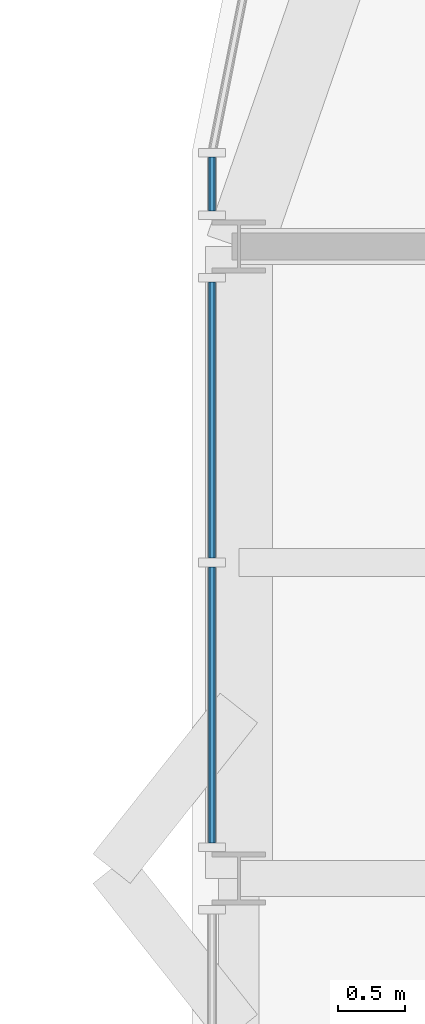
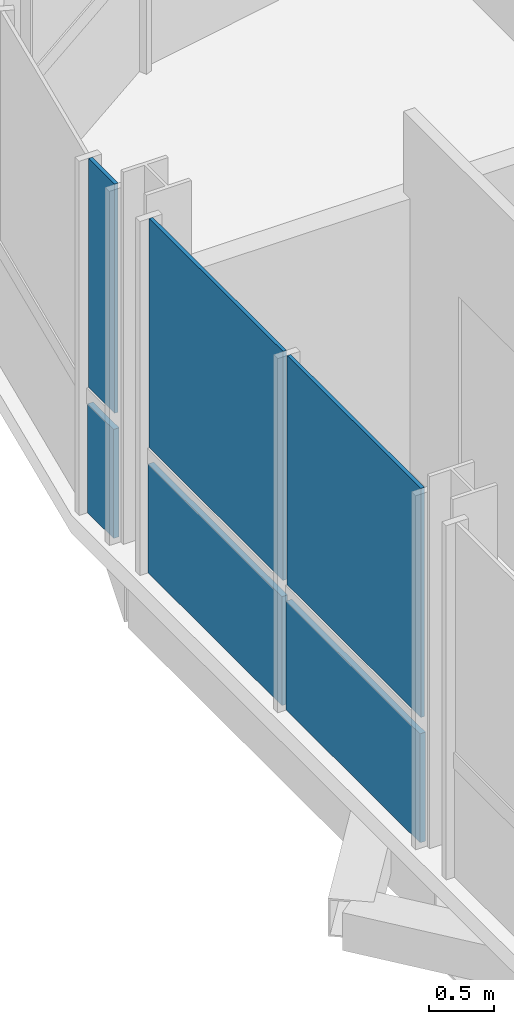
# One storey, part 9 of 17: 6 plates, 2 elements without a shape of their own.
"""IFC4 building model written with IfcOpenShell, lengths in metres."""

import ifcopenshell
import ifcopenshell.guid

model = None  # the IFC model being written
_history = None  # IfcOwnerHistory: only IFC2X3 demands one
_inside = {}  # id of a spatial element -> (the spatial element, [elements in it])
_under = {}  # id of a project, library or spatial element -> (it, [spatial elements below it])
_declared = {}  # id of a project -> (the project, [libraries it declares])
_typed = {}  # id of a type object -> (the type object, [elements of that type])
_made_of = {}  # id of a material, layer set ... -> (it, [elements and type objects made of it])


def new_model(schema):
    """Start an empty IFC model of exactly this schema.

    Asked for "IFC4X3", IfcOpenShell would pick the latest addendum, in which some entities
    have other attributes; the version numbers below select the first issue.
    IFC2X3 requires an IfcOwnerHistory on every rooted entity: one is made here for all.
    """
    global model, _history
    if schema == "IFC4X3":
        model = ifcopenshell.file(schema_version=(4, 3, 0, 0))
    else:
        model = ifcopenshell.file(schema=schema)
    _inside.clear()
    _under.clear()
    _declared.clear()
    _typed.clear()
    _made_of.clear()
    _history = None
    if model.schema == "IFC2X3":
        org = make("IfcOrganization", Name="unknown")
        user = make(
            "IfcPersonAndOrganization",
            ThePerson=make("IfcPerson", FamilyName="unknown"),
            TheOrganization=org,
        )
        app = make(
            "IfcApplication",
            ApplicationDeveloper=org,
            Version="unknown",
            ApplicationFullName="unknown",
            ApplicationIdentifier="unknown",
        )
        _history = make(
            "IfcOwnerHistory",
            OwningUser=user,
            OwningApplication=app,
            ChangeAction="ADDED",
            CreationDate=0,
        )
    return model


def make(cls, **values):
    """One entity of the class cls with the attributes given. An attribute that is None is left unset."""
    return model.create_entity(
        cls, **{name: value for name, value in values.items() if value is not None}
    )


def rooted(cls, **values):
    """An entity with a GlobalId (a new one), such as an element, a storey or a relation."""
    return make(cls, GlobalId=ifcopenshell.guid.new(), OwnerHistory=_history, **values)


def si_unit(unit_type, name, prefix=None):
    """IfcSIUnit, for example si_unit("LENGTHUNIT", "METRE", prefix="MILLI")."""
    return make("IfcSIUnit", UnitType=unit_type, Prefix=prefix, Name=name)


def assignment(units):
    """IfcUnitAssignment: the units of a project."""
    return None if units is None else make("IfcUnitAssignment", Units=units)


def point(xyz):
    """IfcCartesianPoint."""
    return None if xyz is None else make("IfcCartesianPoint", Coordinates=xyz)


def direction(xyz):
    """IfcDirection."""
    return None if xyz is None else make("IfcDirection", DirectionRatios=xyz)


def frame(location, z_axis=None, x_axis=None):
    """IfcAxis2Placement3D, a coordinate frame: its origin and axes. An axis left out is left unset."""
    return make(
        "IfcAxis2Placement3D",
        Location=point(location),
        Axis=direction(z_axis),
        RefDirection=direction(x_axis),
    )


def frame_2d(location, x_axis=None):
    """IfcAxis2Placement2D, a coordinate frame in the plane: its origin and x axis."""
    return make(
        "IfcAxis2Placement2D", Location=point(location), RefDirection=direction(x_axis)
    )


def origin():
    """The frame at (0, 0, 0) with its axes left unset."""
    return frame((0.0, 0.0, 0.0))


def origin_2d():
    """The frame at (0, 0) in the plane with its x axis left unset."""
    return frame_2d((0.0, 0.0))


def place(relative_to, where):
    """IfcLocalPlacement: puts the frame where relative to a parent placement (None: the world)."""
    return make(
        "IfcLocalPlacement", PlacementRelTo=relative_to, RelativePlacement=where
    )


def context(
    kind, dimensions, precision=None, world=None, true_north=None, identifier=None
):
    """IfcGeometricRepresentationContext, for example the 3D "Model" context."""
    return make(
        "IfcGeometricRepresentationContext",
        ContextIdentifier=identifier,
        ContextType=kind,
        CoordinateSpaceDimension=dimensions,
        Precision=precision,
        WorldCoordinateSystem=world,
        TrueNorth=true_north,
    )


def subcontext(parent, identifier, kind, view, scale=None):
    """IfcGeometricRepresentationSubContext, for example "Body" below "Model"."""
    return make(
        "IfcGeometricRepresentationSubContext",
        ContextIdentifier=identifier,
        ContextType=kind,
        ParentContext=parent,
        TargetScale=scale,
        TargetView=view,
    )


def project(units=None, contexts=None):
    """IfcProject with its units and contexts."""
    return rooted(
        "IfcProject",
        Name="project",
        RepresentationContexts=contexts,
        UnitsInContext=assignment(units),
    )


def spatial(cls, under=None, at=None, **own):
    """A site, building, storey or space (cls), placed at a placement, below another one or the project."""
    s = rooted(cls, ObjectPlacement=at, **own)
    if under is not None:
        _under.setdefault(under.id(), (under, []))[1].append(s)
    return s


def profile(cls, at=None, kind="AREA", **sizes):
    """A parametric profile (cls). Its sizes go by their IFC names, for example OverallWidth=200.0."""
    return make(cls, ProfileType=kind, Position=at, **sizes)


def rectangle(**sizes):
    """IfcRectangleProfileDef."""
    return profile("IfcRectangleProfileDef", **sizes)


def extrude(swept, where, along, depth):
    """IfcExtrudedAreaSolid: the profile swept, set in the frame where, extruded along a direction by depth."""
    return make(
        "IfcExtrudedAreaSolid",
        SweptArea=swept,
        Position=where,
        ExtrudedDirection=direction(along),
        Depth=depth,
    )


def shape(context_of_items, identifier, shape_type, items):
    """IfcShapeRepresentation: the items that make up one representation, for example the "Body"."""
    return make(
        "IfcShapeRepresentation",
        ContextOfItems=context_of_items,
        RepresentationIdentifier=identifier,
        RepresentationType=shape_type,
        Items=items,
    )


def material(Name=None, Category=None):
    """IfcMaterial."""
    return make("IfcMaterial", Name=Name, Category=Category)


def layer(
    of_material, thickness, ventilated=None, Name=None, Category=None, Priority=None
):
    """IfcMaterialLayer: one layer of a wall or slab, of a material (None: an air gap)."""
    return make(
        "IfcMaterialLayer",
        Material=of_material,
        LayerThickness=thickness,
        IsVentilated=ventilated,
        Name=Name,
        Category=Category,
        Priority=Priority,
    )


def layer_set(layers, Name=None):
    """IfcMaterialLayerSet."""
    return make("IfcMaterialLayerSet", MaterialLayers=layers, LayerSetName=Name)


def made_of(thing, what):
    """Note that an element or type object is made of a material, layer set ...; save() writes the relation."""
    if what is not None:
        _made_of.setdefault(what.id(), (what, []))[1].append(thing)
    return thing


def type_object(cls, material=None, **own):
    """A type object (cls), such as IfcWallType, which elements share."""
    return made_of(rooted(cls, **own), material)


def element(
    cls,
    number,
    at=None,
    inside=None,
    cuts=None,
    type_object=None,
    material=None,
    context=None,
    identifier="Body",
    shape_type=None,
    held_by="IfcProductDefinitionShape",
    body=None,
    shapes=None,
    **own,
):
    """One element of the class cls, such as IfcWall. Its Tag is "e" and its number.

    at: its placement. inside: the storey or other place that contains it. cuts: it is an
    opening in that element (IfcRelVoidsElement). A single representation is given by context,
    identifier, shape_type and body (its items); several are given by shapes. held_by: the class
    of the entity that holds the representations. save() writes the other relations.
    """
    e = rooted(cls, Tag="e%d" % number, ObjectPlacement=at, **own)
    if body is not None:
        shapes = [shape(context, identifier, shape_type, body)]
    if shapes is not None:
        e.Representation = make(held_by, Representations=shapes)
    if inside is not None:
        _inside.setdefault(inside.id(), (inside, []))[1].append(e)
    if cuts is not None:
        rooted(
            "IfcRelVoidsElement", RelatingBuildingElement=cuts, RelatedOpeningElement=e
        )
    if type_object is not None:
        _typed.setdefault(type_object.id(), (type_object, []))[1].append(e)
    return made_of(e, material)


def aggregate(whole, parts):
    """IfcRelAggregates: a whole, such as a stair, and the parts it consists of."""
    return rooted("IfcRelAggregates", RelatingObject=whole, RelatedObjects=parts)


def save(model, path):
    """Write the relations noted so far, then the file.

    IfcRelAggregates (storeys below a building ...), IfcRelContainedInSpatialStructure (elements
    in a storey), IfcRelDefinesByType, IfcRelAssociatesMaterial and IfcRelDeclares: one each for
    every whole, place, type object, material and project.
    """
    for whole, parts in _under.values():
        aggregate(whole, parts)
    for where, things in _inside.values():
        rooted(
            "IfcRelContainedInSpatialStructure",
            RelatedElements=things,
            RelatingStructure=where,
        )
    for kind, things in _typed.values():
        rooted("IfcRelDefinesByType", RelatedObjects=things, RelatingType=kind)
    for what, things in _made_of.values():
        rooted("IfcRelAssociatesMaterial", RelatedObjects=things, RelatingMaterial=what)
    for by, libraries in _declared.values():
        rooted("IfcRelDeclares", RelatingContext=by, RelatedDefinitions=libraries)
    model.write(path)


model = new_model("IFC4")

# Units and contexts
model_context = context("Model", 3, precision=1e-05, world=origin(), true_north=direction((0.0, 1.0)))
body_context = subcontext(model_context, "Body", "Model", "MODEL_VIEW")
ifc_project = project(units=[si_unit("LENGTHUNIT", "METRE"), si_unit("AREAUNIT", "SQUARE_METRE"), si_unit("VOLUMEUNIT", "CUBIC_METRE"), si_unit("PLANEANGLEUNIT", "RADIAN"), si_unit("MASSUNIT", "GRAM", prefix="KILO")], contexts=[model_context])

# Site, building, storey
site_placement = place(None, origin())
site = spatial("IfcSite", under=ifc_project, at=site_placement, CompositionType="ELEMENT")
building_placement = place(site_placement, origin())
building = spatial("IfcBuilding", under=site, at=building_placement, Name="Turquesa Mirador Hotel Tower", CompositionType="ELEMENT")
storey_placement = place(building_placement, frame((0.0, 0.0, 258.199951171875)))
storey = spatial("IfcBuildingStorey", under=building, at=storey_placement, Name="L70", CompositionType="ELEMENT", Elevation=258.199951171875)

# Curtain wall, plate
ifc_material_1 = material(Name="Aluminium extrusion", Category="aluminium")
curtain_wall_type = type_object("IfcCurtainWallType", Name="CW-4 SUITE FRITTED CURTAIN WALL", PredefinedType="USERDEFINED", material=ifc_material_1)
curtain_wall_1_placement = place(storey_placement, origin())
curtain_wall_1 = element("IfcCurtainWall", 1, at=curtain_wall_1_placement, inside=storey, type_object=curtain_wall_type, Name="CW-4 SUITE FRITTED CURTAIN WALL L70", ObjectType="CURTAIN WALL", PredefinedType="USERDEFINED")
ifc_material_2 = material(Name="Ceramic-printed spandrel glass on an insulated back pan", Category="glass")
ifc_layer_1 = layer(ifc_material_2, 0.050048828125)
ifc_layer_set_1 = layer_set([ifc_layer_1], Name="CW PANEL SPANDREL CERAMIC")
plate_type_1 = type_object("IfcPlateType", Name="CW PANEL SPANDREL CERAMIC", PredefinedType="CURTAIN_PANEL", material=ifc_layer_set_1)
plate_1_placement = place(storey_placement, frame((37.14990234375, 57.266845703125, 0.0), z_axis=(0.0, 0.0, 1.0), x_axis=(0.0, -1.0, 0.0)))
plate_1 = element("IfcPlate", 2, at=plate_1_placement, type_object=plate_type_1, Name="Panel", PredefinedType="CURTAIN_PANEL", context=body_context, shape_type="SweptSolid", body=[
    extrude(rectangle(XDim=0.401123046875, YDim=0.050048828125, at=origin_2d()), origin(), (0.0, 0.0, 1.0), 1.02490234375),
])

# Curtain wall, plates
curtain_wall_2_placement = place(storey_placement, origin())
curtain_wall_2 = element("IfcCurtainWall", 3, at=curtain_wall_2_placement, inside=storey, type_object=curtain_wall_type, Name="CW-4 SUITE FRITTED CURTAIN WALL L70", ObjectType="CURTAIN WALL", PredefinedType="USERDEFINED")
plate_2_placement = place(storey_placement, frame((37.14990234375, 55.503173828125, 0.0), z_axis=(0.0, 0.0, 1.0), x_axis=(0.0, -1.0, 0.0)))
plate_2 = element("IfcPlate", 4, at=plate_2_placement, type_object=plate_type_1, Name="Panel", PredefinedType="CURTAIN_PANEL", context=body_context, shape_type="SweptSolid", body=[
    extrude(rectangle(XDim=2.06103515625, YDim=0.050048828125, at=origin_2d()), origin(), (0.0, 0.0, 1.0), 1.02490234375),
])
plate_3_placement = place(storey_placement, frame((37.14990234375, 53.376953125, 0.0), z_axis=(0.0, 0.0, 1.0), x_axis=(0.0, -1.0, 0.0)))
plate_3 = element("IfcPlate", 5, at=plate_3_placement, type_object=plate_type_1, Name="Panel", PredefinedType="CURTAIN_PANEL", context=body_context, shape_type="SweptSolid", body=[
    extrude(rectangle(XDim=2.06103515625, YDim=0.050048828125, at=origin_2d()), origin(), (0.0, 0.0, 1.0), 1.02490234375),
])

# Plate
ifc_material_3 = material(Name="Ceramic-fritted laminated glass", Category="glass")
ifc_layer_2 = layer(ifc_material_3, 0.031982421875)
ifc_layer_set_2 = layer_set([ifc_layer_2], Name="CW PANEL VISION FRITTED")
plate_type_2 = type_object("IfcPlateType", Name="CW PANEL VISION FRITTED", PredefinedType="CURTAIN_PANEL", material=ifc_layer_set_2)
plate_4_placement = place(storey_placement, frame((37.14990234375, 57.266845703125, 1.1748046875), z_axis=(0.0, 0.0, 1.0), x_axis=(0.0, -1.0, 0.0)))
plate_4 = element("IfcPlate", 6, at=plate_4_placement, type_object=plate_type_2, Name="Panel", PredefinedType="CURTAIN_PANEL", context=body_context, shape_type="SweptSolid", body=[
    extrude(rectangle(XDim=0.401123046875, YDim=0.031982421875, at=origin_2d()), origin(), (0.0, 0.0, 1.0), 2.155029296875),
])

aggregate(curtain_wall_1, [plate_1, plate_4])

plate_5_placement = place(storey_placement, frame((37.14990234375, 55.503173828125, 1.1748046875), z_axis=(0.0, 0.0, 1.0), x_axis=(0.0, -1.0, 0.0)))
plate_5 = element("IfcPlate", 7, at=plate_5_placement, type_object=plate_type_2, Name="Panel", PredefinedType="CURTAIN_PANEL", context=body_context, shape_type="SweptSolid", body=[
    extrude(rectangle(XDim=2.06103515625, YDim=0.031982421875, at=origin_2d()), origin(), (0.0, 0.0, 1.0), 2.155029296875),
])

plate_6_placement = place(storey_placement, frame((37.14990234375, 53.376953125, 1.1748046875), z_axis=(0.0, 0.0, 1.0), x_axis=(0.0, -1.0, 0.0)))
plate_6 = element("IfcPlate", 8, at=plate_6_placement, type_object=plate_type_2, Name="Panel", PredefinedType="CURTAIN_PANEL", context=body_context, shape_type="SweptSolid", body=[
    extrude(rectangle(XDim=2.06103515625, YDim=0.031982421875, at=origin_2d()), origin(), (0.0, 0.0, 1.0), 2.155029296875),
])

aggregate(curtain_wall_2, [plate_2, plate_5, plate_3, plate_6])

save(model, "model.ifc")
